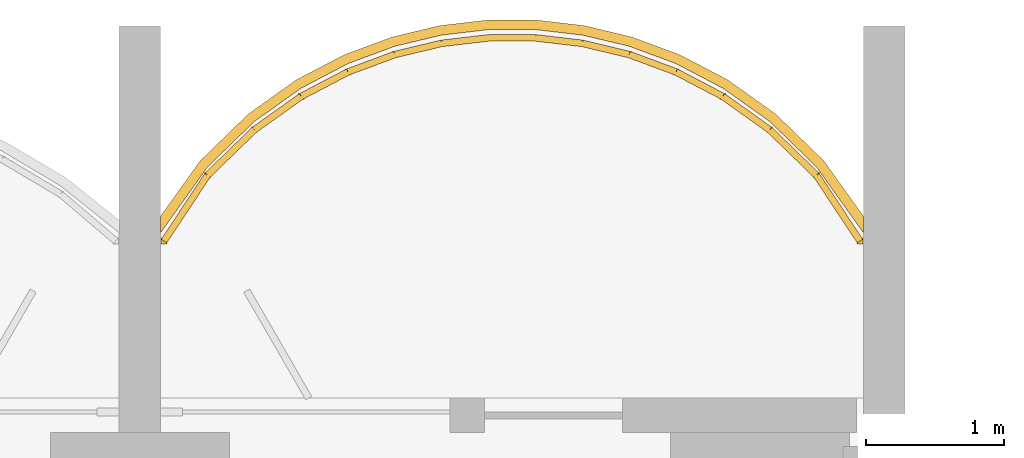
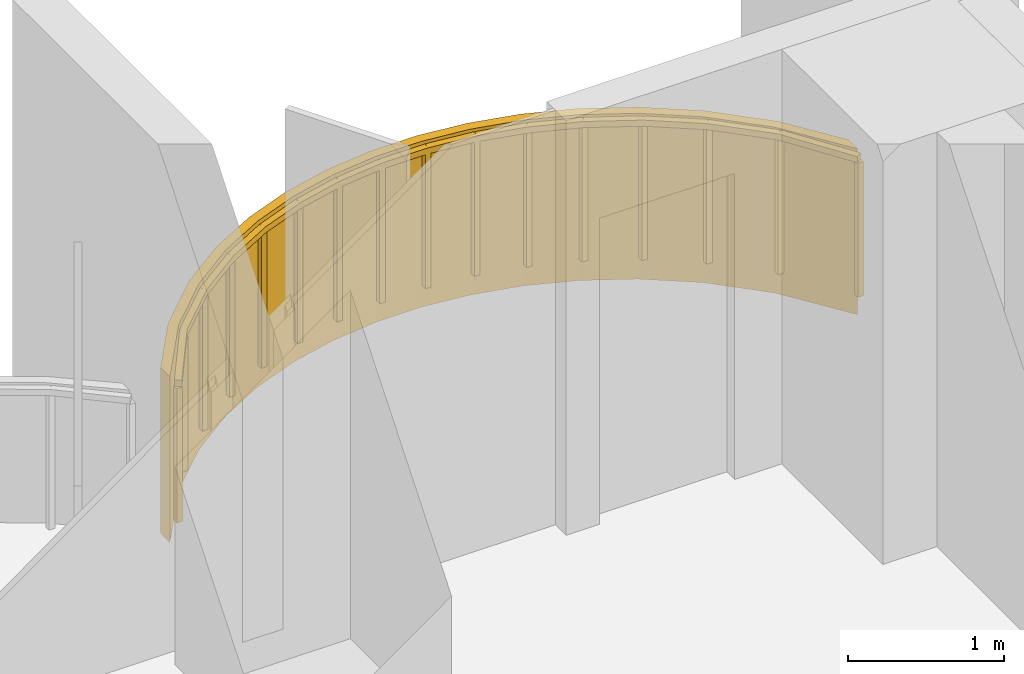
# One storey, part 21 of 21: 1 covering, 1 railing.
"""IFC4 building model written with IfcOpenShell, lengths in metres."""

from ifc_helpers import new_model, si_unit, direction, frame, origin, origin_2d, place, context, subcontext, project, spatial, polyline, rectangle, outline, extrude, material, layer, layer_set, type_object, element, save


model = new_model("IFC4")

# Units and contexts
model_context = context("Model", 3, precision=1e-05, world=origin(), true_north=direction((0.0, 1.0)))
body_context = subcontext(model_context, "Body", "Model", "MODEL_VIEW")
ifc_project = project(units=[si_unit("LENGTHUNIT", "METRE"), si_unit("AREAUNIT", "SQUARE_METRE"), si_unit("VOLUMEUNIT", "CUBIC_METRE"), si_unit("PLANEANGLEUNIT", "RADIAN"), si_unit("MASSUNIT", "GRAM", prefix="KILO")], contexts=[model_context])

# Site, building, storey
site_placement = place(None, origin())
site = spatial("IfcSite", under=ifc_project, at=site_placement, CompositionType="ELEMENT")
building_placement = place(site_placement, origin())
building = spatial("IfcBuilding", under=site, at=building_placement, Name="Perihelion Cross Residences", CompositionType="ELEMENT")
storey_placement = place(building_placement, frame((0.0, 0.0, 54.0)))
storey = spatial("IfcBuildingStorey", under=building, at=storey_placement, Name="L10", CompositionType="ELEMENT", Elevation=54.0)

# Covering
ifc_material_1 = material(Name="Bronze anodised aluminium", Category="aluminium")
ifc_layer = layer(ifc_material_1, 0.070068359375)
ifc_layer_set = layer_set([ifc_layer], Name="Balcony fascia 1300")
covering_type = type_object("IfcCoveringType", Name="Balcony fascia 1300", PredefinedType="CLADDING", material=ifc_layer_set)
covering_placement = place(storey_placement, frame((0.0, 0.0, -0.199951171875)))
element("IfcCovering", 1, at=covering_placement, inside=storey, type_object=covering_type, Name="Fascia BF1 L10 north tip north bay 1", PredefinedType="CLADDING", context=body_context, shape_type="SweptSolid", body=[
    extrude(outline(polyline([(4.963134765625, 28.722412109375), (4.61474609375, 29.060791015625), (4.2666015625, 29.308837890625), (3.91845703125, 29.4912109375), (3.5703125, 29.620361328125), (3.22216796875, 29.703369140625), (2.8740234375, 29.743896484375), (2.52587890625, 29.743896484375), (2.177734375, 29.703369140625), (1.82958984375, 29.620361328125), (1.4814453125, 29.4912109375), (1.13330078125, 29.308837890625), (0.78515625, 29.060791015625), (0.43701171875, 28.722412109375), (0.14990234375, 28.320556640625), (0.14990234375, 28.199951171875), (0.489990234375, 28.6767578125), (0.830078125, 29.007080078125), (1.169921875, 29.2490234375), (1.510009765625, 29.42724609375), (1.85009765625, 29.553466796875), (2.18994140625, 29.63427734375), (2.530029296875, 29.674072265625), (2.8701171875, 29.674072265625), (3.2099609375, 29.63427734375), (3.550048828125, 29.553466796875), (3.889892578125, 29.42724609375), (4.22998046875, 29.2490234375), (4.570068359375, 29.007080078125), (4.909912109375, 28.6767578125), (5.25, 28.199951171875), (5.25, 28.320556640625), (4.963134765625, 28.722412109375)])), origin(), (0.0, 0.0, 1.0), 1.300048828125),
])

# Railing
ifc_material_2 = material(Name="Bronze anodised aluminium", Category="aluminium")
railing_type = type_object("IfcRailingType", Name="Balcony guard 1100", PredefinedType="GUARDRAIL", material=ifc_material_2)
railing_placement = place(storey_placement, frame((5.22509765625, 28.139892578125, 0.0)))
element("IfcRailing", 2, at=railing_placement, inside=storey, type_object=railing_type, Name="Guard GU1 L10 north tip north bay 1 balcony", PredefinedType="GUARDRAIL", context=body_context, shape_type="SweptSolid", body=[
    extrude(rectangle(XDim=0.048095703125, YDim=0.048095703125, at=origin_2d()), frame((0.0, 0.0, 1.076171875), z_axis=(-0.55144309028, 0.834212513801, 0.0), x_axis=(-0.834212513801, -0.55144309028, 0.0)), (0.0, 0.0, 1.0), 0.571533203125),
    extrude(rectangle(XDim=0.048095703125, YDim=0.048095703125, at=origin_2d()), frame((-0.315185546875, 0.476806640625, 1.076171875), z_axis=(-0.717080736691, 0.696990112603, 0.0), x_axis=(-0.696990112603, -0.717080736691, 0.0)), (0.0, 0.0, 1.0), 0.473876953125),
    extrude(rectangle(XDim=0.048095703125, YDim=0.048095703125, at=origin_2d()), frame((-0.655029296875, 0.80712890625, 1.076171875), z_axis=(-0.814562360662, 0.580075995532, 0.0), x_axis=(-0.580075995532, -0.814562360662, 0.0)), (0.0, 0.0, 1.0), 0.41748046875),
    extrude(rectangle(XDim=0.048095703125, YDim=0.048095703125, at=origin_2d()), frame((-0.9951171875, 1.04931640625, 1.076171875), z_axis=(-0.886005761733, 0.463674228502, 0.0), x_axis=(-0.463674228502, -0.886005761733, 0.0)), (0.0, 0.0, 1.0), 0.3837890625),
    extrude(rectangle(XDim=0.048095703125, YDim=0.048095703125, at=origin_2d()), frame((-1.335205078125, 1.227294921875, 1.076171875), z_axis=(-0.937431552165, 0.348169621027, 0.0), x_axis=(-0.348169621027, -0.937431552165, 0.0)), (0.0, 0.0, 1.0), 0.362548828125),
    extrude(rectangle(XDim=0.048095703125, YDim=0.048095703125, at=origin_2d()), frame((-1.675048828125, 1.353515625, 1.076171875), z_axis=(-0.972753741142, 0.231840805498, 0.0), x_axis=(-0.231840805498, -0.972753741142, 0.0)), (0.0, 0.0, 1.0), 0.349609375),
    extrude(rectangle(XDim=0.048095703125, YDim=0.048095703125, at=origin_2d()), frame((-2.01513671875, 1.4345703125, 1.076171875), z_axis=(-0.993295952156, 0.11559909788, 0.0), x_axis=(-0.11559909788, -0.993295952156, 0.0)), (0.0, 0.0, 1.0), 0.342041015625),
    extrude(rectangle(XDim=0.048095703125, YDim=0.048095703125, at=origin_2d()), frame((-2.35498046875, 1.47412109375, 1.076171875), z_axis=(-1.0, 0.0, 0.0), x_axis=(0.0, -1.0, 0.0)), (0.0, 0.0, 1.0), 0.340087890625),
    extrude(rectangle(XDim=0.048095703125, YDim=0.048095703125, at=origin_2d()), frame((-2.695068359375, 1.47412109375, 1.076171875), z_axis=(-0.993305477634, -0.11551721994, 0.0), x_axis=(0.11551721994, -0.993305477634, 0.0)), (0.0, 0.0, 1.0), 0.34228515625),
    extrude(rectangle(XDim=0.048095703125, YDim=0.048095703125, at=origin_2d()), frame((-3.03515625, 1.4345703125, 1.076171875), z_axis=(-0.972716168284, -0.231998396458, 0.0), x_axis=(0.231998396458, -0.972716168284, 0.0)), (0.0, 0.0, 1.0), 0.349365234375),
    extrude(rectangle(XDim=0.048095703125, YDim=0.048095703125, at=origin_2d()), frame((-3.375, 1.353515625, 1.076171875), z_axis=(-0.93751311099, -0.347949948587, 0.0), x_axis=(0.347949948587, -0.93751311099, 0.0)), (0.0, 0.0, 1.0), 0.36279296875),
    extrude(rectangle(XDim=0.048095703125, YDim=0.048095703125, at=origin_2d()), frame((-3.715087890625, 1.227294921875, 1.076171875), z_axis=(-0.886005761733, -0.463674228502, 0.0), x_axis=(0.463674228502, -0.886005761733, 0.0)), (0.0, 0.0, 1.0), 0.3837890625),
    extrude(rectangle(XDim=0.048095703125, YDim=0.048095703125, at=origin_2d()), frame((-4.05517578125, 1.04931640625, 1.076171875), z_axis=(-0.814365457194, -0.580352394782, 0.0), x_axis=(0.580352394782, -0.814365457194, 0.0)), (0.0, 0.0, 1.0), 0.417236328125),
    extrude(rectangle(XDim=0.048095703125, YDim=0.048095703125, at=origin_2d()), frame((-4.39501953125, 0.80712890625, 1.076171875), z_axis=(-0.717330852669, -0.69673269466, 0.0), x_axis=(0.69673269466, -0.717330852669, 0.0)), (0.0, 0.0, 1.0), 0.47412109375),
    extrude(rectangle(XDim=0.048095703125, YDim=0.048095703125, at=origin_2d()), frame((-4.735107421875, 0.476806640625, 1.076171875), z_axis=(-0.551145731138, -0.834409002258, 0.0), x_axis=(0.834409002258, -0.551145731138, 0.0)), (0.0, 0.0, 1.0), 0.571533203125),
    extrude(rectangle(XDim=0.0419921875, YDim=0.0419921875, at=origin_2d()), origin(), (0.0, 0.0, 1.0), 1.052001953125),
    extrude(rectangle(XDim=0.0419921875, YDim=0.0419921875, at=origin_2d()), frame((-0.315185546875, 0.476806640625, 0.0)), (0.0, 0.0, 1.0), 1.052001953125),
    extrude(rectangle(XDim=0.0419921875, YDim=0.0419921875, at=origin_2d()), frame((-0.655029296875, 0.80712890625, 0.0)), (0.0, 0.0, 1.0), 1.052001953125),
    extrude(rectangle(XDim=0.0419921875, YDim=0.0419921875, at=origin_2d()), frame((-0.9951171875, 1.04931640625, 0.0)), (0.0, 0.0, 1.0), 1.052001953125),
    extrude(rectangle(XDim=0.0419921875, YDim=0.0419921875, at=origin_2d()), frame((-1.335205078125, 1.227294921875, 0.0)), (0.0, 0.0, 1.0), 1.052001953125),
    extrude(rectangle(XDim=0.0419921875, YDim=0.0419921875, at=origin_2d()), frame((-1.675048828125, 1.353515625, 0.0)), (0.0, 0.0, 1.0), 1.052001953125),
    extrude(rectangle(XDim=0.0419921875, YDim=0.0419921875, at=origin_2d()), frame((-2.01513671875, 1.4345703125, 0.0)), (0.0, 0.0, 1.0), 1.052001953125),
    extrude(rectangle(XDim=0.0419921875, YDim=0.0419921875, at=origin_2d()), frame((-2.35498046875, 1.47412109375, 0.0)), (0.0, 0.0, 1.0), 1.052001953125),
    extrude(rectangle(XDim=0.0419921875, YDim=0.0419921875, at=origin_2d()), frame((-2.695068359375, 1.47412109375, 0.0)), (0.0, 0.0, 1.0), 1.052001953125),
    extrude(rectangle(XDim=0.0419921875, YDim=0.0419921875, at=origin_2d()), frame((-3.03515625, 1.4345703125, 0.0)), (0.0, 0.0, 1.0), 1.052001953125),
    extrude(rectangle(XDim=0.0419921875, YDim=0.0419921875, at=origin_2d()), frame((-3.375, 1.353515625, 0.0)), (0.0, 0.0, 1.0), 1.052001953125),
    extrude(rectangle(XDim=0.0419921875, YDim=0.0419921875, at=origin_2d()), frame((-3.715087890625, 1.227294921875, 0.0)), (0.0, 0.0, 1.0), 1.052001953125),
    extrude(rectangle(XDim=0.0419921875, YDim=0.0419921875, at=origin_2d()), frame((-4.05517578125, 1.04931640625, 0.0)), (0.0, 0.0, 1.0), 1.052001953125),
    extrude(rectangle(XDim=0.0419921875, YDim=0.0419921875, at=origin_2d()), frame((-4.39501953125, 0.80712890625, 0.0)), (0.0, 0.0, 1.0), 1.052001953125),
    extrude(rectangle(XDim=0.0419921875, YDim=0.0419921875, at=origin_2d()), frame((-4.735107421875, 0.476806640625, 0.0)), (0.0, 0.0, 1.0), 1.052001953125),
    extrude(rectangle(XDim=0.0419921875, YDim=0.0419921875, at=origin_2d()), frame((-5.050048828125, 0.0, 0.0)), (0.0, 0.0, 1.0), 1.052001953125),
])

save(model, "model.ifc")
